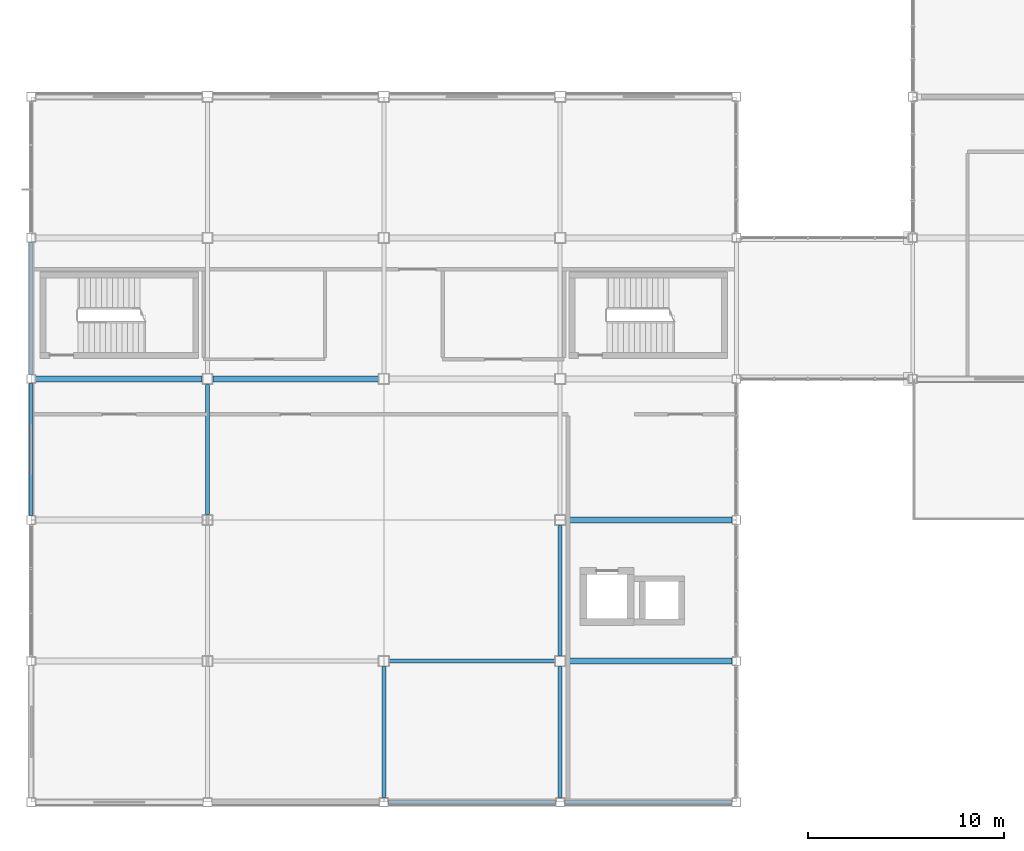
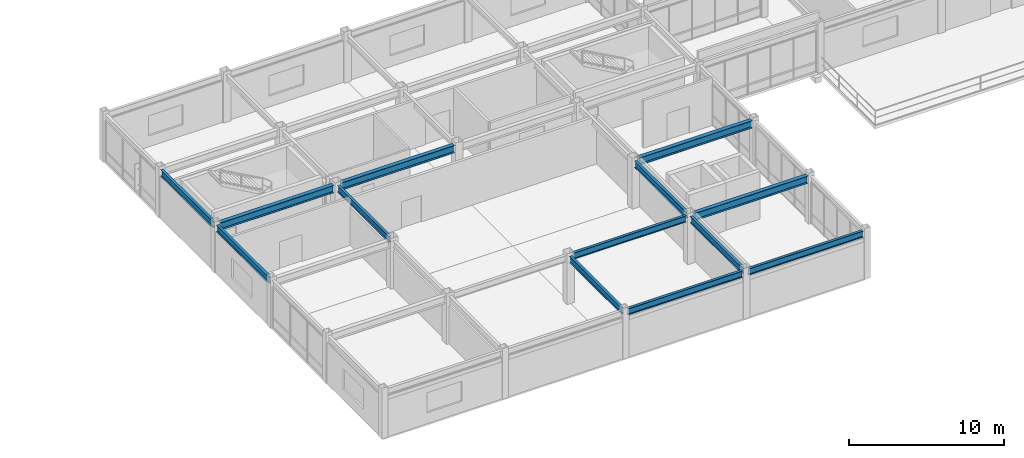
# One storey, part 14 of 122: 13 beams.
"""IFC4 building model written with IfcOpenShell, lengths in metres."""

from ifc_helpers import new_model, si_unit, direction, frame, origin, origin_2d, place, context, subcontext, project, spatial, i_section, extrude, material, material_profile, profile_set, type_object, element, save


model = new_model("IFC4")

# Units and contexts
model_context = context("Model", 3, precision=1e-05, world=origin(), true_north=direction((0.0, 1.0)))
body_context = subcontext(model_context, "Body", "Model", "MODEL_VIEW")
ifc_project = project(units=[si_unit("LENGTHUNIT", "METRE"), si_unit("AREAUNIT", "SQUARE_METRE"), si_unit("VOLUMEUNIT", "CUBIC_METRE"), si_unit("PLANEANGLEUNIT", "RADIAN"), si_unit("MASSUNIT", "GRAM", prefix="KILO")], contexts=[model_context])

# Site, building, storey
site_placement = place(None, origin())
site = spatial("IfcSite", under=ifc_project, at=site_placement, CompositionType="ELEMENT")
building_placement = place(site_placement, origin())
building = spatial("IfcBuilding", under=site, at=building_placement, Name="Kazanami Central Library", CompositionType="ELEMENT")
storey_placement = place(building_placement, frame((0.0, 0.0, 4.800048828125)))
storey = spatial("IfcBuildingStorey", under=building, at=storey_placement, Name="L02", CompositionType="ELEMENT", Elevation=4.800048828125)

# Beams
ifc_material = material(Name="Steel SN490B (325 MPa)", Category="steel")
ifc_material_profile_1 = material_profile(ifc_material, i_section(OverallWidth=0.300048828125, OverallDepth=0.587890625, WebThickness=0.011962890625, FlangeThickness=0.02001953125, at=origin_2d()), Name="H-588x300x12x20")
ifc_profile_set_1 = profile_set([ifc_material_profile_1], Name="Steel SN490B (325 MPa)")
beam_type_1 = type_object("IfcBeamType", Name="BM-G-X2", PredefinedType="BEAM", material=ifc_profile_set_1)
for number, where, z_axis, x_axis, name in (
    (1, (27.27294921875, 7.199951171875, 3.4609375), (1.0, 0.0, 0.0), (0.0, 1.0, 0.0), "Girder G-X2 L02 B/4-5"),
    (2, (27.27294921875, 14.39990234375, 3.4609375), (1.0, 0.0, 0.0), (0.0, 1.0, 0.0), "Girder G-X2 L02 C/4-5"),
    (3, (0.222900390625, 21.60009765625, 3.4609375), (1.0, 0.0, 0.0), (0.0, 1.0, 0.0), "Girder G-X2 L02 D/1-2"),
):
    element("IfcBeam", number, at=place(storey_placement, frame(where, z_axis=z_axis, x_axis=x_axis)), inside=storey, type_object=beam_type_1, Name=name, PredefinedType="BEAM", context=body_context, shape_type="SweptSolid", body=[
        extrude(i_section(OverallWidth=0.300048828125, OverallDepth=0.587890625, WebThickness=0.011962890625, FlangeThickness=0.02001953125, at=origin_2d()), origin(), (0.0, 0.0, 1.0), 8.504150390625),
    ])
beam_1_placement = place(storey_placement, frame((9.27294921875, 21.60009765625, 3.4609375), z_axis=(1.0, 0.0, 0.0), x_axis=(0.0, 1.0, 0.0)))
element("IfcBeam", 4, at=beam_1_placement, inside=storey, type_object=beam_type_1, Name="Girder G-X2 L02 D/2-3", PredefinedType="BEAM", context=body_context, shape_type="SweptSolid", body=[
    extrude(i_section(OverallWidth=0.300048828125, OverallDepth=0.587890625, WebThickness=0.011962890625, FlangeThickness=0.02001953125, at=origin_2d()), origin(), (0.0, 0.0, 1.0), 8.4541015625),
])
ifc_material_profile_2 = material_profile(ifc_material, i_section(OverallWidth=0.199951171875, OverallDepth=0.5, WebThickness=0.010009765625, FlangeThickness=0.01611328125, at=origin_2d()), Name="H-500x200x10x16")
ifc_profile_set_2 = profile_set([ifc_material_profile_2], Name="Steel SN490B (325 MPa)")
beam_type_2 = type_object("IfcBeamType", Name="BM-G-Y2", PredefinedType="BEAM", material=ifc_profile_set_2)
for number, where, z_axis, x_axis, name in (
    (5, (18.0, 0.222900390625, 3.5048828125), (0.0, 1.0, 0.0), (-1.0, 0.0, 0.0), "Girder G-Y2 L02 3/A-B"),
    (6, (27.0, 0.222900390625, 3.5048828125), (0.0, 1.0, 0.0), (-1.0, 0.0, 0.0), "Girder G-Y2 L02 4/A-B"),
):
    element("IfcBeam", number, at=place(storey_placement, frame(where, z_axis=z_axis, x_axis=x_axis)), inside=storey, type_object=beam_type_2, Name=name, PredefinedType="BEAM", context=body_context, shape_type="SweptSolid", body=[
        extrude(i_section(OverallWidth=0.199951171875, OverallDepth=0.5, WebThickness=0.010009765625, FlangeThickness=0.01611328125, at=origin_2d()), origin(), (0.0, 0.0, 1.0), 6.7041015625),
    ])
ifc_material_profile_3 = material_profile(ifc_material, i_section(OverallWidth=0.199951171875, OverallDepth=0.5, WebThickness=0.010009765625, FlangeThickness=0.01611328125, at=origin_2d()), Name="H-500x200x10x16")
ifc_profile_set_3 = profile_set([ifc_material_profile_3], Name="Steel SN490B (325 MPa)")
beam_type_3 = type_object("IfcBeamType", Name="BM-SP-1", PredefinedType="SPANDREL", material=ifc_profile_set_3)
for number, where, z_axis, x_axis, name in (
    (7, (18.222900390625, 0.0, 3.5048828125), (1.0, 0.0, 0.0), (0.0, 1.0, 0.0), "Girder SP-1 L02 A/3-4"),
    (8, (27.222900390625, 0.0, 3.5048828125), (1.0, 0.0, 0.0), (0.0, 1.0, 0.0), "Girder SP-1 L02 A/4-5"),
):
    element("IfcBeam", number, at=place(storey_placement, frame(where, z_axis=z_axis, x_axis=x_axis)), inside=storey, type_object=beam_type_3, Name=name, PredefinedType="SPANDREL", context=body_context, shape_type="SweptSolid", body=[
        extrude(i_section(OverallWidth=0.199951171875, OverallDepth=0.5, WebThickness=0.010009765625, FlangeThickness=0.01611328125, at=origin_2d()), origin(), (0.0, 0.0, 1.0), 8.55419921875),
    ])
beam_2_placement = place(storey_placement, frame((18.27294921875, 7.199951171875, 3.5048828125), z_axis=(1.0, 0.0, 0.0), x_axis=(0.0, 1.0, 0.0)))
element("IfcBeam", 9, at=beam_2_placement, inside=storey, type_object=beam_type_3, Name="Girder SP-1 L02 B/3-4", PredefinedType="SPANDREL", context=body_context, shape_type="SweptSolid", body=[
    extrude(i_section(OverallWidth=0.199951171875, OverallDepth=0.5, WebThickness=0.010009765625, FlangeThickness=0.01611328125, at=origin_2d()), origin(), (0.0, 0.0, 1.0), 8.4541015625),
])
for number, where, z_axis, x_axis, name in (
    (10, (0.0, 14.623046875, 3.5048828125), (0.0, 1.0, 0.0), (-1.0, 0.0, 0.0), "Girder SP-1 L02 1/C-D"),
    (11, (0.0, 21.822998046875, 3.5048828125), (0.0, 1.0, 0.0), (-1.0, 0.0, 0.0), "Girder SP-1 L02 1/D-E"),
):
    element("IfcBeam", number, at=place(storey_placement, frame(where, z_axis=z_axis, x_axis=x_axis)), inside=storey, type_object=beam_type_3, Name=name, PredefinedType="SPANDREL", context=body_context, shape_type="SweptSolid", body=[
        extrude(i_section(OverallWidth=0.199951171875, OverallDepth=0.5, WebThickness=0.010009765625, FlangeThickness=0.01611328125, at=origin_2d()), origin(), (0.0, 0.0, 1.0), 6.75390625),
    ])
beam_3_placement = place(storey_placement, frame((9.0, 14.673095703125, 3.5048828125), z_axis=(0.0, 1.0, 0.0), x_axis=(-1.0, 0.0, 0.0)))
element("IfcBeam", 12, at=beam_3_placement, inside=storey, type_object=beam_type_3, Name="Girder SP-1 L02 2/C-D", PredefinedType="SPANDREL", context=body_context, shape_type="SweptSolid", body=[
    extrude(i_section(OverallWidth=0.199951171875, OverallDepth=0.5, WebThickness=0.010009765625, FlangeThickness=0.01611328125, at=origin_2d()), origin(), (0.0, 0.0, 1.0), 6.65380859375),
])
beam_4_placement = place(storey_placement, frame((27.0, 7.472900390625, 3.5048828125), z_axis=(0.0, 1.0, 0.0), x_axis=(-1.0, 0.0, 0.0)))
element("IfcBeam", 13, at=beam_4_placement, inside=storey, type_object=beam_type_3, Name="Girder SP-1 L02 4/B-C", PredefinedType="SPANDREL", context=body_context, shape_type="SweptSolid", body=[
    extrude(i_section(OverallWidth=0.199951171875, OverallDepth=0.5, WebThickness=0.010009765625, FlangeThickness=0.01611328125, at=origin_2d()), origin(), (0.0, 0.0, 1.0), 6.654052734375),
])

save(model, "model.ifc")
